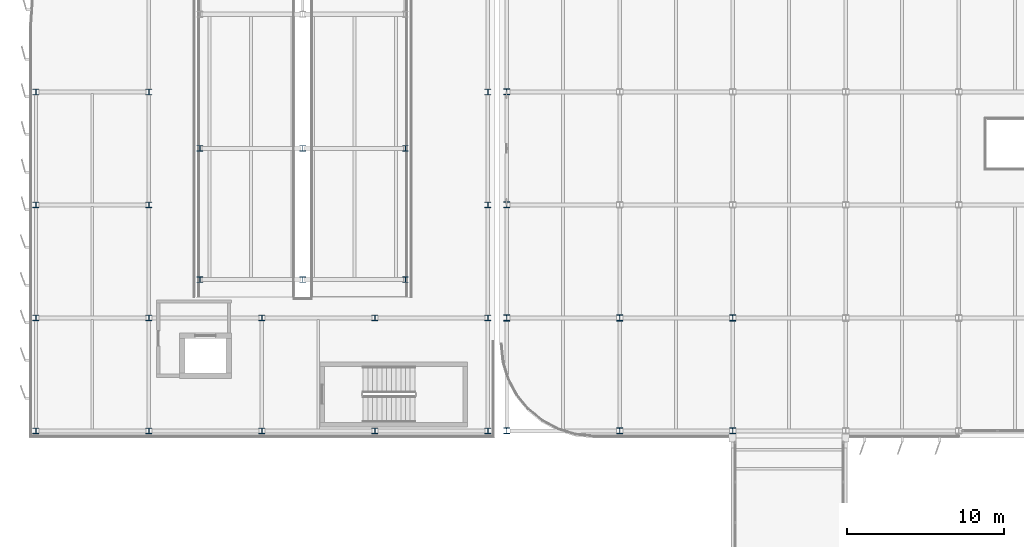
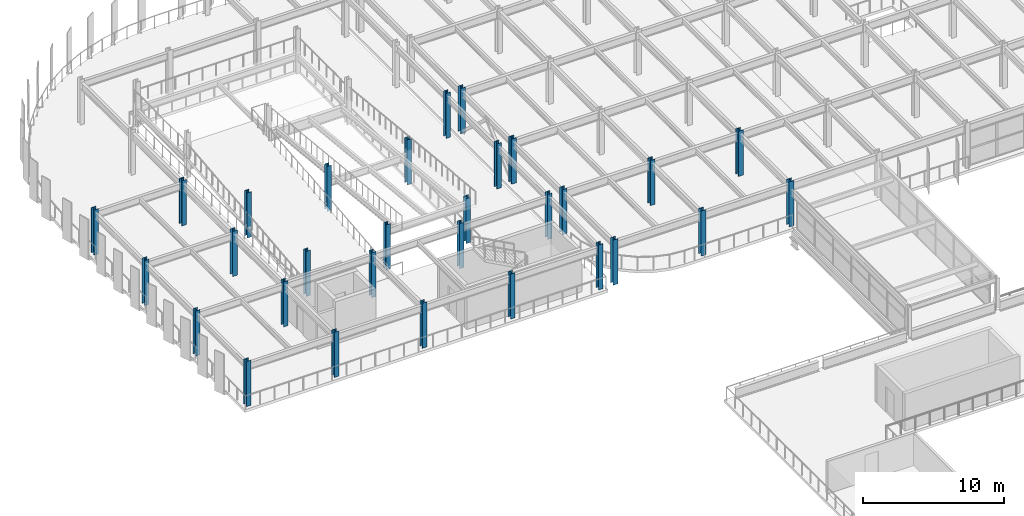
# One storey, part 2 of 93: 30 columns.
"""IFC4 building model written with IfcOpenShell, lengths in metres."""

import ifcopenshell
import ifcopenshell.guid

model = None  # the IFC model being written
_history = None  # IfcOwnerHistory: only IFC2X3 demands one
_inside = {}  # id of a spatial element -> (the spatial element, [elements in it])
_under = {}  # id of a project, library or spatial element -> (it, [spatial elements below it])
_declared = {}  # id of a project -> (the project, [libraries it declares])
_typed = {}  # id of a type object -> (the type object, [elements of that type])
_made_of = {}  # id of a material, layer set ... -> (it, [elements and type objects made of it])


def new_model(schema):
    """Start an empty IFC model of exactly this schema.

    Asked for "IFC4X3", IfcOpenShell would pick the latest addendum, in which some entities
    have other attributes; the version numbers below select the first issue.
    IFC2X3 requires an IfcOwnerHistory on every rooted entity: one is made here for all.
    """
    global model, _history
    if schema == "IFC4X3":
        model = ifcopenshell.file(schema_version=(4, 3, 0, 0))
    else:
        model = ifcopenshell.file(schema=schema)
    _inside.clear()
    _under.clear()
    _declared.clear()
    _typed.clear()
    _made_of.clear()
    _history = None
    if model.schema == "IFC2X3":
        org = make("IfcOrganization", Name="unknown")
        user = make(
            "IfcPersonAndOrganization",
            ThePerson=make("IfcPerson", FamilyName="unknown"),
            TheOrganization=org,
        )
        app = make(
            "IfcApplication",
            ApplicationDeveloper=org,
            Version="unknown",
            ApplicationFullName="unknown",
            ApplicationIdentifier="unknown",
        )
        _history = make(
            "IfcOwnerHistory",
            OwningUser=user,
            OwningApplication=app,
            ChangeAction="ADDED",
            CreationDate=0,
        )
    return model


def make(cls, **values):
    """One entity of the class cls with the attributes given. An attribute that is None is left unset."""
    return model.create_entity(
        cls, **{name: value for name, value in values.items() if value is not None}
    )


def rooted(cls, **values):
    """An entity with a GlobalId (a new one), such as an element, a storey or a relation."""
    return make(cls, GlobalId=ifcopenshell.guid.new(), OwnerHistory=_history, **values)


def si_unit(unit_type, name, prefix=None):
    """IfcSIUnit, for example si_unit("LENGTHUNIT", "METRE", prefix="MILLI")."""
    return make("IfcSIUnit", UnitType=unit_type, Prefix=prefix, Name=name)


def assignment(units):
    """IfcUnitAssignment: the units of a project."""
    return None if units is None else make("IfcUnitAssignment", Units=units)


def point(xyz):
    """IfcCartesianPoint."""
    return None if xyz is None else make("IfcCartesianPoint", Coordinates=xyz)


def direction(xyz):
    """IfcDirection."""
    return None if xyz is None else make("IfcDirection", DirectionRatios=xyz)


def frame(location, z_axis=None, x_axis=None):
    """IfcAxis2Placement3D, a coordinate frame: its origin and axes. An axis left out is left unset."""
    return make(
        "IfcAxis2Placement3D",
        Location=point(location),
        Axis=direction(z_axis),
        RefDirection=direction(x_axis),
    )


def frame_2d(location, x_axis=None):
    """IfcAxis2Placement2D, a coordinate frame in the plane: its origin and x axis."""
    return make(
        "IfcAxis2Placement2D", Location=point(location), RefDirection=direction(x_axis)
    )


def origin():
    """The frame at (0, 0, 0) with its axes left unset."""
    return frame((0.0, 0.0, 0.0))


def origin_2d():
    """The frame at (0, 0) in the plane with its x axis left unset."""
    return frame_2d((0.0, 0.0))


def place(relative_to, where):
    """IfcLocalPlacement: puts the frame where relative to a parent placement (None: the world)."""
    return make(
        "IfcLocalPlacement", PlacementRelTo=relative_to, RelativePlacement=where
    )


def context(
    kind, dimensions, precision=None, world=None, true_north=None, identifier=None
):
    """IfcGeometricRepresentationContext, for example the 3D "Model" context."""
    return make(
        "IfcGeometricRepresentationContext",
        ContextIdentifier=identifier,
        ContextType=kind,
        CoordinateSpaceDimension=dimensions,
        Precision=precision,
        WorldCoordinateSystem=world,
        TrueNorth=true_north,
    )


def subcontext(parent, identifier, kind, view, scale=None):
    """IfcGeometricRepresentationSubContext, for example "Body" below "Model"."""
    return make(
        "IfcGeometricRepresentationSubContext",
        ContextIdentifier=identifier,
        ContextType=kind,
        ParentContext=parent,
        TargetScale=scale,
        TargetView=view,
    )


def project(units=None, contexts=None):
    """IfcProject with its units and contexts."""
    return rooted(
        "IfcProject",
        Name="project",
        RepresentationContexts=contexts,
        UnitsInContext=assignment(units),
    )


def spatial(cls, under=None, at=None, **own):
    """A site, building, storey or space (cls), placed at a placement, below another one or the project."""
    s = rooted(cls, ObjectPlacement=at, **own)
    if under is not None:
        _under.setdefault(under.id(), (under, []))[1].append(s)
    return s


def profile(cls, at=None, kind="AREA", **sizes):
    """A parametric profile (cls). Its sizes go by their IFC names, for example OverallWidth=200.0."""
    return make(cls, ProfileType=kind, Position=at, **sizes)


def i_section(**sizes):
    """IfcIShapeProfileDef."""
    return profile("IfcIShapeProfileDef", **sizes)


def extrude(swept, where, along, depth):
    """IfcExtrudedAreaSolid: the profile swept, set in the frame where, extruded along a direction by depth."""
    return make(
        "IfcExtrudedAreaSolid",
        SweptArea=swept,
        Position=where,
        ExtrudedDirection=direction(along),
        Depth=depth,
    )


def shape(context_of_items, identifier, shape_type, items):
    """IfcShapeRepresentation: the items that make up one representation, for example the "Body"."""
    return make(
        "IfcShapeRepresentation",
        ContextOfItems=context_of_items,
        RepresentationIdentifier=identifier,
        RepresentationType=shape_type,
        Items=items,
    )


def material(Name=None, Category=None):
    """IfcMaterial."""
    return make("IfcMaterial", Name=Name, Category=Category)


def material_profile(
    of_material, cross_section, Name=None, Category=None, Priority=None
):
    """IfcMaterialProfile: a cross section and its material."""
    return make(
        "IfcMaterialProfile",
        Name=Name,
        Material=of_material,
        Profile=cross_section,
        Priority=Priority,
        Category=Category,
    )


def profile_set(profiles, Name=None, composite=None):
    """IfcMaterialProfileSet."""
    return make(
        "IfcMaterialProfileSet",
        Name=Name,
        MaterialProfiles=profiles,
        CompositeProfile=composite,
    )


def made_of(thing, what):
    """Note that an element or type object is made of a material, layer set ...; save() writes the relation."""
    if what is not None:
        _made_of.setdefault(what.id(), (what, []))[1].append(thing)
    return thing


def type_object(cls, material=None, **own):
    """A type object (cls), such as IfcWallType, which elements share."""
    return made_of(rooted(cls, **own), material)


def element(
    cls,
    number,
    at=None,
    inside=None,
    cuts=None,
    type_object=None,
    material=None,
    context=None,
    identifier="Body",
    shape_type=None,
    held_by="IfcProductDefinitionShape",
    body=None,
    shapes=None,
    **own,
):
    """One element of the class cls, such as IfcWall. Its Tag is "e" and its number.

    at: its placement. inside: the storey or other place that contains it. cuts: it is an
    opening in that element (IfcRelVoidsElement). A single representation is given by context,
    identifier, shape_type and body (its items); several are given by shapes. held_by: the class
    of the entity that holds the representations. save() writes the other relations.
    """
    e = rooted(cls, Tag="e%d" % number, ObjectPlacement=at, **own)
    if body is not None:
        shapes = [shape(context, identifier, shape_type, body)]
    if shapes is not None:
        e.Representation = make(held_by, Representations=shapes)
    if inside is not None:
        _inside.setdefault(inside.id(), (inside, []))[1].append(e)
    if cuts is not None:
        rooted(
            "IfcRelVoidsElement", RelatingBuildingElement=cuts, RelatedOpeningElement=e
        )
    if type_object is not None:
        _typed.setdefault(type_object.id(), (type_object, []))[1].append(e)
    return made_of(e, material)


def aggregate(whole, parts):
    """IfcRelAggregates: a whole, such as a stair, and the parts it consists of."""
    return rooted("IfcRelAggregates", RelatingObject=whole, RelatedObjects=parts)


def save(model, path):
    """Write the relations noted so far, then the file.

    IfcRelAggregates (storeys below a building ...), IfcRelContainedInSpatialStructure (elements
    in a storey), IfcRelDefinesByType, IfcRelAssociatesMaterial and IfcRelDeclares: one each for
    every whole, place, type object, material and project.
    """
    for whole, parts in _under.values():
        aggregate(whole, parts)
    for where, things in _inside.values():
        rooted(
            "IfcRelContainedInSpatialStructure",
            RelatedElements=things,
            RelatingStructure=where,
        )
    for kind, things in _typed.values():
        rooted("IfcRelDefinesByType", RelatedObjects=things, RelatingType=kind)
    for what, things in _made_of.values():
        rooted("IfcRelAssociatesMaterial", RelatedObjects=things, RelatingMaterial=what)
    for by, libraries in _declared.values():
        rooted("IfcRelDeclares", RelatingContext=by, RelatedDefinitions=libraries)
    model.write(path)


model = new_model("IFC4")

# Units and contexts
model_context = context("Model", 3, precision=1e-05, world=origin(), true_north=direction((0.0, 1.0)))
body_context = subcontext(model_context, "Body", "Model", "MODEL_VIEW")
ifc_project = project(units=[si_unit("LENGTHUNIT", "METRE"), si_unit("AREAUNIT", "SQUARE_METRE"), si_unit("VOLUMEUNIT", "CUBIC_METRE"), si_unit("PLANEANGLEUNIT", "RADIAN"), si_unit("MASSUNIT", "GRAM", prefix="KILO")], contexts=[model_context])

# Site, building, storey
site_placement = place(None, origin())
site = spatial("IfcSite", under=ifc_project, at=site_placement, CompositionType="ELEMENT")
building_placement = place(site_placement, origin())
building = spatial("IfcBuilding", under=site, at=building_placement, Name="Vaelcorin Mobility Hub", CompositionType="ELEMENT")
storey_placement = place(building_placement, frame((0.0, 0.0, 5.39990234375)))
storey = spatial("IfcBuildingStorey", under=building, at=storey_placement, Name="L01", CompositionType="ELEMENT", Elevation=5.39990234375)

# Columns
ifc_material = material(Name="Steel ASTM A992 Grade 50", Category="steel")
ifc_material_profile_1 = material_profile(ifc_material, i_section(OverallWidth=0.37109375, OverallDepth=0.363037109375, WebThickness=0.01318359375, FlangeThickness=0.021728515625, FilletRadius=0.014892578125, at=origin_2d()), Name="W14X109")
ifc_profile_set_1 = profile_set([ifc_material_profile_1], Name="Steel ASTM A992 Grade 50")
column_type_1 = type_object("IfcColumnType", Name="COL-W14X109", PredefinedType="COLUMN", material=ifc_profile_set_1)
for number, where, z_axis, x_axis, name in (
    (1, (16.449951171875, 86.449951171875, 0.0), (0.0, 0.0, 1.0), (1.0, 0.0, 0.0), "Column V2W-RDRM-WS L01"),
    (2, (23.0, 86.449951171875, 0.0), (0.0, 0.0, 1.0), (1.0, 0.0, 0.0), "Column V2W-RDRM-MS L01"),
    (3, (29.550048828125, 86.449951171875, 0.0), (0.0, 0.0, 1.0), (1.0, 0.0, 0.0), "Column V2W-RDRM-ES L01"),
    (4, (16.449951171875, 94.800048828125, 0.0), (0.0, 0.0, 1.0), (1.0, 0.0, 0.0), "Column V2W-RDRM-WC L01"),
    (5, (23.0, 94.800048828125, 0.0), (0.0, 0.0, 1.0), (1.0, 0.0, 0.0), "Column V2W-RDRM-MC L01"),
    (6, (29.550048828125, 94.800048828125, 0.0), (0.0, 0.0, 1.0), (1.0, 0.0, 0.0), "Column V2W-RDRM-EC L01"),
):
    element("IfcColumn", number, at=place(storey_placement, frame(where, z_axis=z_axis, x_axis=x_axis)), inside=storey, type_object=column_type_1, Name=name, PredefinedType="COLUMN", context=body_context, shape_type="SweptSolid", body=[
        extrude(i_section(OverallWidth=0.37109375, OverallDepth=0.363037109375, WebThickness=0.01318359375, FlangeThickness=0.021728515625, FilletRadius=0.014892578125, at=origin_2d()), origin(), (0.0, 0.0, 1.0), 3.900146484375),
    ])
ifc_material_profile_2 = material_profile(ifc_material, i_section(OverallWidth=0.373046875, OverallDepth=0.373046875, WebThickness=0.016357421875, FlangeThickness=0.026123046875, FilletRadius=0.014892578125, at=origin_2d()), Name="W14X132")
ifc_profile_set_2 = profile_set([ifc_material_profile_2], Name="Steel ASTM A992 Grade 50")
column_type_2 = type_object("IfcColumnType", Name="COL-W14X132", PredefinedType="COLUMN", material=ifc_profile_set_2)
for number, where, z_axis, x_axis, name in (
    (7, (6.0, 76.800048828125, 0.0), (0.0, 0.0, 1.0), (1.0, 0.0, 0.0), "Column V2W-G1x1 L01"),
    (8, (6.0, 84.0, 0.0), (0.0, 0.0, 1.0), (1.0, 0.0, 0.0), "Column V2W-G1x2 L01"),
    (9, (6.0, 91.199951171875, 0.0), (0.0, 0.0, 1.0), (1.0, 0.0, 0.0), "Column V2W-G1x3 L01"),
    (10, (6.0, 98.39990234375, 0.0), (0.0, 0.0, 1.0), (1.0, 0.0, 0.0), "Column V2W-G1x4 L01"),
    (11, (13.199951171875, 76.800048828125, 0.0), (0.0, 0.0, 1.0), (1.0, 0.0, 0.0), "Column V2W-G2x1 L01"),
    (12, (13.199951171875, 84.0, 0.0), (0.0, 0.0, 1.0), (1.0, 0.0, 0.0), "Column V2W-G2x2 L01"),
    (13, (13.199951171875, 91.199951171875, 0.0), (0.0, 0.0, 1.0), (1.0, 0.0, 0.0), "Column V2W-G2x3 L01"),
    (14, (13.199951171875, 98.39990234375, 0.0), (0.0, 0.0, 1.0), (1.0, 0.0, 0.0), "Column V2W-G2x4 L01"),
    (15, (20.39990234375, 76.800048828125, 0.0), (0.0, 0.0, 1.0), (1.0, 0.0, 0.0), "Column V2W-G3x1 L01"),
    (16, (20.39990234375, 84.0, 0.0), (0.0, 0.0, 1.0), (1.0, 0.0, 0.0), "Column V2W-G3x2 L01"),
    (17, (27.60009765625, 76.800048828125, 0.0), (0.0, 0.0, 1.0), (1.0, 0.0, 0.0), "Column V2W-G4x1 L01"),
    (18, (27.60009765625, 84.0, 0.0), (0.0, 0.0, 1.0), (1.0, 0.0, 0.0), "Column V2W-G4x2 L01"),
    (19, (34.800048828125, 76.800048828125, 0.0), (0.0, 0.0, 1.0), (1.0, 0.0, 0.0), "Column V2W-G5x1 L01"),
    (20, (34.800048828125, 84.0, 0.0), (0.0, 0.0, 1.0), (1.0, 0.0, 0.0), "Column V2W-G5x2 L01"),
    (21, (34.800048828125, 91.199951171875, 0.0), (0.0, 0.0, 1.0), (1.0, 0.0, 0.0), "Column V2W-G5x3 L01"),
    (22, (34.800048828125, 98.39990234375, 0.0), (0.0, 0.0, 1.0), (1.0, 0.0, 0.0), "Column V2W-G5x4 L01"),
):
    element("IfcColumn", number, at=place(storey_placement, frame(where, z_axis=z_axis, x_axis=x_axis)), inside=storey, type_object=column_type_2, Name=name, PredefinedType="COLUMN", context=body_context, shape_type="SweptSolid", body=[
        extrude(i_section(OverallWidth=0.373046875, OverallDepth=0.373046875, WebThickness=0.016357421875, FlangeThickness=0.026123046875, FilletRadius=0.014892578125, at=origin_2d()), origin(), (0.0, 0.0, 1.0), 3.900146484375),
    ])
ifc_material_profile_3 = material_profile(ifc_material, i_section(OverallWidth=0.39599609375, OverallDepth=0.381103515625, WebThickness=0.018798828125, FlangeThickness=0.0302734375, FilletRadius=0.014892578125, at=origin_2d()), Name="W14X159")
ifc_profile_set_3 = profile_set([ifc_material_profile_3], Name="Steel ASTM A992 Grade 50")
column_type_3 = type_object("IfcColumnType", Name="COL-W14X159", PredefinedType="COLUMN", material=ifc_profile_set_3)
for number, where, z_axis, x_axis, name in (
    (23, (36.0, 76.800048828125, 0.0), (0.0, 0.0, 1.0), (1.0, 0.0, 0.0), "Column V4-X01Y01 L01"),
    (24, (36.0, 91.199951171875, 0.0), (0.0, 0.0, 1.0), (1.0, 0.0, 0.0), "Column V4-X01Y03 L01"),
    (25, (36.0, 98.39990234375, 0.0), (0.0, 0.0, 1.0), (1.0, 0.0, 0.0), "Column V4-X01Y04 L01"),
    (26, (43.199951171875, 76.800048828125, 0.0), (0.0, 0.0, 1.0), (1.0, 0.0, 0.0), "Column V4-X02Y01 L01"),
    (27, (50.39990234375, 76.800048828125, 0.0), (0.0, 0.0, 1.0), (1.0, 0.0, 0.0), "Column V4-X03Y01 L01"),
):
    element("IfcColumn", number, at=place(storey_placement, frame(where, z_axis=z_axis, x_axis=x_axis)), inside=storey, type_object=column_type_3, Name=name, PredefinedType="COLUMN", context=body_context, shape_type="SweptSolid", body=[
        extrude(i_section(OverallWidth=0.39599609375, OverallDepth=0.381103515625, WebThickness=0.018798828125, FlangeThickness=0.0302734375, FilletRadius=0.014892578125, at=origin_2d()), origin(), (0.0, 0.0, 1.0), 3.900146484375),
    ])
ifc_material_profile_4 = material_profile(ifc_material, i_section(OverallWidth=0.39892578125, OverallDepth=0.39404296875, WebThickness=0.022705078125, FlangeThickness=0.03662109375, FilletRadius=0.014892578125, at=origin_2d()), Name="W14X193")
ifc_profile_set_4 = profile_set([ifc_material_profile_4], Name="Steel ASTM A992 Grade 50")
column_type_4 = type_object("IfcColumnType", Name="COL-W14X193", PredefinedType="COLUMN", material=ifc_profile_set_4)
for number, where, z_axis, x_axis, name in (
    (28, (36.0, 84.0, 0.0), (0.0, 0.0, 1.0), (1.0, 0.0, 0.0), "Column V4-X01Y02 L01"),
    (29, (43.199951171875, 84.0, 0.0), (0.0, 0.0, 1.0), (1.0, 0.0, 0.0), "Column V4-X02Y02 L01"),
    (30, (50.39990234375, 84.0, 0.0), (0.0, 0.0, 1.0), (1.0, 0.0, 0.0), "Column V4-X03Y02 L01"),
):
    element("IfcColumn", number, at=place(storey_placement, frame(where, z_axis=z_axis, x_axis=x_axis)), inside=storey, type_object=column_type_4, Name=name, PredefinedType="COLUMN", context=body_context, shape_type="SweptSolid", body=[
        extrude(i_section(OverallWidth=0.39892578125, OverallDepth=0.39404296875, WebThickness=0.022705078125, FlangeThickness=0.03662109375, FilletRadius=0.014892578125, at=origin_2d()), origin(), (0.0, 0.0, 1.0), 3.900146484375),
    ])

save(model, "model.ifc")
